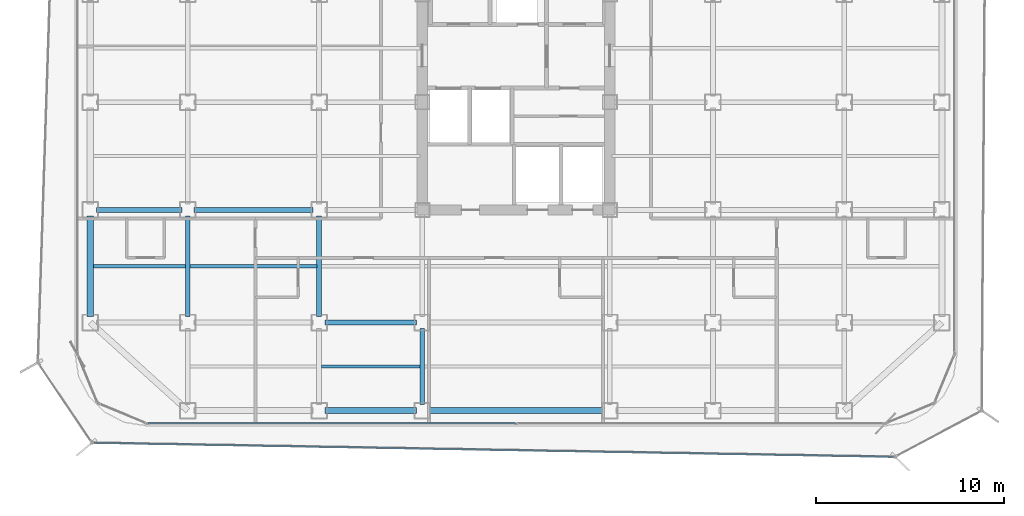
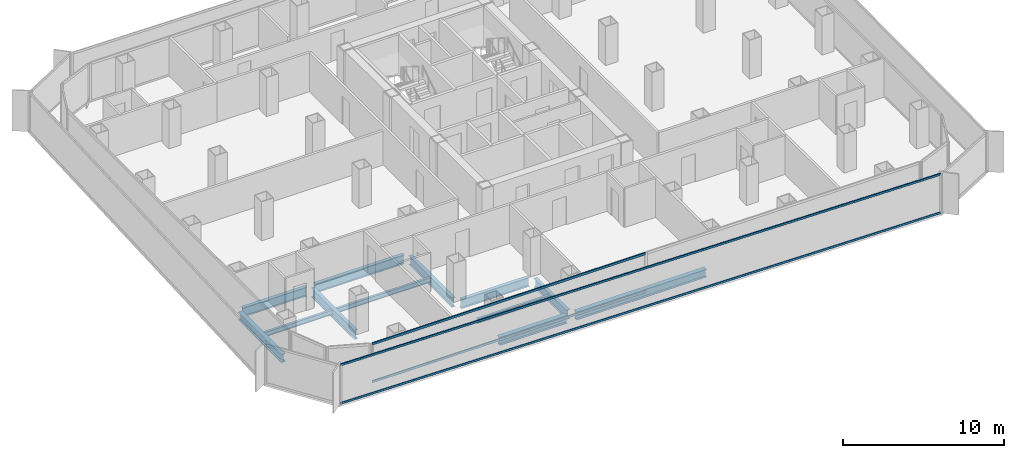
# One storey, part 3 of 21: 12 beams, 4 members, 2 elements without a shape of their own.
"""IFC4 building model written with IfcOpenShell, lengths in metres."""

from ifc_helpers import new_model, si_unit, direction, frame, origin, origin_2d, place, context, subcontext, project, spatial, hollow_rectangle, i_section, extrude, source, transform, mapped, material, layer, layer_set, material_profile, profile_set, type_object, element, aggregate, save


model = new_model("IFC4")

# Units and contexts
model_context = context("Model", 3, precision=1e-05, world=origin(), true_north=direction((0.0, 1.0)))
body_context = subcontext(model_context, "Body", "Model", "MODEL_VIEW")
ifc_project = project(units=[si_unit("LENGTHUNIT", "METRE"), si_unit("AREAUNIT", "SQUARE_METRE"), si_unit("VOLUMEUNIT", "CUBIC_METRE"), si_unit("PLANEANGLEUNIT", "RADIAN"), si_unit("MASSUNIT", "GRAM", prefix="KILO")], contexts=[model_context])

# Site, building, storey
site_placement = place(None, origin())
site = spatial("IfcSite", under=ifc_project, at=site_placement, CompositionType="ELEMENT")
building_placement = place(site_placement, origin())
building = spatial("IfcBuilding", under=site, at=building_placement, Name="Kolveth Station Tower", CompositionType="ELEMENT")
storey_placement = place(building_placement, frame((0.0, 0.0, 127.89990234375)))
storey = spatial("IfcBuildingStorey", under=building, at=storey_placement, Name="L35", CompositionType="ELEMENT", Elevation=127.89990234375)

# Beams
ifc_material_1 = material(Name="Steel S355", Category="steel")
ifc_material_profile_1 = material_profile(ifc_material_1, i_section(OverallWidth=0.323974609375, OverallDepth=0.611083984375, WebThickness=0.0126953125, FlangeThickness=0.01904296875, at=origin_2d()), Name="W610x155")
ifc_profile_set_1 = profile_set([ifc_material_profile_1], Name="Steel S355")
beam_type_1 = type_object("IfcBeamType", Name="Beam_SP2", PredefinedType="SPANDREL", material=ifc_profile_set_1)
shared_shape_1 = source(origin(), body_context, "Body", "SweptSolid", [
    extrude(i_section(OverallWidth=0.323974609375, OverallDepth=0.611083984375, WebThickness=0.0126953125, FlangeThickness=0.01904296875, at=origin_2d()), origin(), (0.0, 0.0, 1.0), 4.85986328125),
])
beam_1_placement = place(storey_placement, frame((13.320068359375, 0.800048828125, -0.555419921875), z_axis=(1.0, 0.0, 0.0), x_axis=(0.0, 1.0, 0.0)))
element("IfcBeam", 1, at=beam_1_placement, inside=storey, type_object=beam_type_1, Name="L35 Perimeter Spandrel BM-L35-PS-2", PredefinedType="SPANDREL", context=body_context, shape_type="MappedRepresentation", body=[
    mapped(shared_shape_1, transform((0.0, 0.0, 0.0), x_axis=(1.0, 0.0, 0.0), y_axis=(0.0, 1.0, 0.0), z_axis=(0.0, 0.0, 1.0), scale=1.0)),
])
shared_shape_2 = source(origin(), body_context, "Body", "SweptSolid", [
    extrude(i_section(OverallWidth=0.323974609375, OverallDepth=0.611083984375, WebThickness=0.0126953125, FlangeThickness=0.01904296875, at=origin_2d()), origin(), (0.0, 0.0, 1.0), 9.35986328125),
])
beam_2_placement = place(storey_placement, frame((18.820068359375, 0.800048828125, -0.555419921875), z_axis=(1.0, 0.0, 0.0), x_axis=(0.0, 1.0, 0.0)))
element("IfcBeam", 2, at=beam_2_placement, inside=storey, type_object=beam_type_1, Name="L35 Perimeter Spandrel BM-L35-PS-3", PredefinedType="SPANDREL", context=body_context, shape_type="MappedRepresentation", body=[
    mapped(shared_shape_2, transform((0.0, 0.0, 0.0), x_axis=(1.0, 0.0, 0.0), y_axis=(0.0, 1.0, 0.0), z_axis=(0.0, 0.0, 1.0), scale=1.0)),
])
shared_shape_3 = source(origin(), body_context, "Body", "SweptSolid", [
    extrude(i_section(OverallWidth=0.323974609375, OverallDepth=0.611083984375, WebThickness=0.0126953125, FlangeThickness=0.01904296875, at=origin_2d()), origin(), (0.0, 0.0, 1.0), 5.35986328125),
])
beam_3_placement = place(storey_placement, frame((0.800048828125, 5.820068359375, -0.555419921875), z_axis=(0.0, 1.0, 0.0), x_axis=(-1.0, 0.0, 0.0)))
element("IfcBeam", 3, at=beam_3_placement, inside=storey, type_object=beam_type_1, Name="L35 Perimeter Spandrel BM-L35-PW-1", PredefinedType="SPANDREL", context=body_context, shape_type="MappedRepresentation", body=[
    mapped(shared_shape_3, transform((0.0, 0.0, 0.0), x_axis=(1.0, 0.0, 0.0), y_axis=(0.0, 1.0, 0.0), z_axis=(0.0, 0.0, 1.0), scale=1.0)),
])
ifc_material_profile_2 = material_profile(ifc_material_1, i_section(OverallWidth=0.25390625, OverallDepth=0.68798828125, WebThickness=0.01318359375, FlangeThickness=0.02099609375, at=origin_2d()), Name="W690x152")
ifc_profile_set_2 = profile_set([ifc_material_profile_2], Name="Steel S355")
beam_type_2 = type_object("IfcBeamType", Name="Beam_B4", PredefinedType="BEAM", material=ifc_profile_set_2)
shared_shape_4 = source(origin(), body_context, "Body", "SweptSolid", [
    extrude(i_section(OverallWidth=0.25390625, OverallDepth=0.68798828125, WebThickness=0.01318359375, FlangeThickness=0.02099609375, at=origin_2d()), origin(), (0.0, 0.0, 1.0), 4.559814453125),
])
beam_4_placement = place(storey_placement, frame((1.1201171875, 11.5, -0.593994140625), z_axis=(1.0, 0.0, 0.0), x_axis=(0.0, 1.0, 0.0)))
element("IfcBeam", 4, at=beam_4_placement, inside=storey, type_object=beam_type_2, Name="L35 Primary Girder BM-L35-GY115-1", PredefinedType="BEAM", context=body_context, shape_type="MappedRepresentation", body=[
    mapped(shared_shape_4, transform((0.0, 0.0, 0.0), x_axis=(1.0, 0.0, 0.0), y_axis=(0.0, 1.0, 0.0), z_axis=(0.0, 0.0, 1.0), scale=1.0)),
])
shared_shape_5 = source(origin(), body_context, "Body", "SweptSolid", [
    extrude(i_section(OverallWidth=0.25390625, OverallDepth=0.68798828125, WebThickness=0.01318359375, FlangeThickness=0.02099609375, at=origin_2d()), origin(), (0.0, 0.0, 1.0), 6.35986328125),
])
beam_5_placement = place(storey_placement, frame((6.320068359375, 11.5, -0.593994140625), z_axis=(1.0, 0.0, 0.0), x_axis=(0.0, 1.0, 0.0)))
element("IfcBeam", 5, at=beam_5_placement, inside=storey, type_object=beam_type_2, Name="L35 Primary Girder BM-L35-GY115-2", PredefinedType="BEAM", context=body_context, shape_type="MappedRepresentation", body=[
    mapped(shared_shape_5, transform((0.0, 0.0, 0.0), x_axis=(1.0, 0.0, 0.0), y_axis=(0.0, 1.0, 0.0), z_axis=(0.0, 0.0, 1.0), scale=1.0)),
])
shared_shape_6 = source(origin(), body_context, "Body", "SweptSolid", [
    extrude(i_section(OverallWidth=0.25390625, OverallDepth=0.68798828125, WebThickness=0.01318359375, FlangeThickness=0.02099609375, at=origin_2d()), origin(), (0.0, 0.0, 1.0), 4.85986328125),
])
beam_6_placement = place(storey_placement, frame((13.320068359375, 5.5, -0.593994140625), z_axis=(1.0, 0.0, 0.0), x_axis=(0.0, 1.0, 0.0)))
element("IfcBeam", 6, at=beam_6_placement, inside=storey, type_object=beam_type_2, Name="L35 Primary Girder BM-L35-GY55-3", PredefinedType="BEAM", context=body_context, shape_type="MappedRepresentation", body=[
    mapped(shared_shape_6, transform((0.0, 0.0, 0.0), x_axis=(1.0, 0.0, 0.0), y_axis=(0.0, 1.0, 0.0), z_axis=(0.0, 0.0, 1.0), scale=1.0)),
])
shared_shape_7 = source(origin(), body_context, "Body", "SweptSolid", [
    extrude(i_section(OverallWidth=0.25390625, OverallDepth=0.68798828125, WebThickness=0.01318359375, FlangeThickness=0.02099609375, at=origin_2d()), origin(), (0.0, 0.0, 1.0), 4.059814453125),
])
beam_7_placement = place(storey_placement, frame((18.5, 1.1201171875, -0.593994140625), z_axis=(0.0, 1.0, 0.0), x_axis=(-1.0, 0.0, 0.0)))
element("IfcBeam", 7, at=beam_7_placement, inside=storey, type_object=beam_type_2, Name="L35 Primary Girder BM-L35-GX185-1", PredefinedType="BEAM", context=body_context, shape_type="MappedRepresentation", body=[
    mapped(shared_shape_7, transform((0.0, 0.0, 0.0), x_axis=(1.0, 0.0, 0.0), y_axis=(0.0, 1.0, 0.0), z_axis=(0.0, 0.0, 1.0), scale=1.0)),
])
shared_shape_8 = source(origin(), body_context, "Body", "SweptSolid", [
    extrude(i_section(OverallWidth=0.25390625, OverallDepth=0.68798828125, WebThickness=0.01318359375, FlangeThickness=0.02099609375, at=origin_2d()), origin(), (0.0, 0.0, 1.0), 5.35986328125),
])
for number, where, z_axis, x_axis, name in (
    (8, (6.0, 5.820068359375, -0.593994140625), (0.0, 1.0, 0.0), (-1.0, 0.0, 0.0), "L35 Primary Girder BM-L35-GX60-2"),
    (9, (13.0, 5.820068359375, -0.593994140625), (0.0, 1.0, 0.0), (-1.0, 0.0, 0.0), "L35 Primary Girder BM-L35-GX130-2"),
):
    element("IfcBeam", number, at=place(storey_placement, frame(where, z_axis=z_axis, x_axis=x_axis)), inside=storey, type_object=beam_type_2, Name=name, PredefinedType="BEAM", context=body_context, shape_type="MappedRepresentation", body=[
        mapped(shared_shape_8, transform((0.0, 0.0, 0.0), x_axis=(1.0, 0.0, 0.0), y_axis=(0.0, 1.0, 0.0), z_axis=(0.0, 0.0, 1.0), scale=1.0)),
    ])
ifc_material_profile_3 = material_profile(ifc_material_1, i_section(OverallWidth=0.1708984375, OverallDepth=0.35205078125, WebThickness=0.0068359375, FlangeThickness=0.009765625, at=origin_2d()), Name="W360x44")
ifc_profile_set_3 = profile_set([ifc_material_profile_3], Name="Steel S355")
beam_type_3 = type_object("IfcBeamType", Name="Beam_J2", PredefinedType="JOIST", material=ifc_profile_set_3)
shared_shape_9 = source(origin(), body_context, "Body", "SweptSolid", [
    extrude(i_section(OverallWidth=0.1708984375, OverallDepth=0.35205078125, WebThickness=0.0068359375, FlangeThickness=0.009765625, at=origin_2d()), origin(), (0.0, 0.0, 1.0), 4.9150390625),
])
beam_8_placement = place(storey_placement, frame((0.9599609375, 8.5, -0.42578125), z_axis=(1.0, 0.0, 0.0), x_axis=(0.0, 1.0, 0.0)))
element("IfcBeam", 10, at=beam_8_placement, inside=storey, type_object=beam_type_3, Name="L35 Secondary Joist JST-L35-1-2", PredefinedType="JOIST", context=body_context, shape_type="MappedRepresentation", body=[
    mapped(shared_shape_9, transform((0.0, 0.0, 0.0), x_axis=(1.0, 0.0, 0.0), y_axis=(0.0, 1.0, 0.0), z_axis=(0.0, 0.0, 1.0), scale=1.0)),
])
shared_shape_10 = source(origin(), body_context, "Body", "SweptSolid", [
    extrude(i_section(OverallWidth=0.1708984375, OverallDepth=0.35205078125, WebThickness=0.0068359375, FlangeThickness=0.009765625, at=origin_2d()), origin(), (0.0, 0.0, 1.0), 6.75),
])
beam_9_placement = place(storey_placement, frame((6.125, 8.5, -0.42578125), z_axis=(1.0, 0.0, 0.0), x_axis=(0.0, 1.0, 0.0)))
element("IfcBeam", 11, at=beam_9_placement, inside=storey, type_object=beam_type_3, Name="L35 Secondary Joist JST-L35-2-2", PredefinedType="JOIST", context=body_context, shape_type="MappedRepresentation", body=[
    mapped(shared_shape_10, transform((0.0, 0.0, 0.0), x_axis=(1.0, 0.0, 0.0), y_axis=(0.0, 1.0, 0.0), z_axis=(0.0, 0.0, 1.0), scale=1.0)),
])
shared_shape_11 = source(origin(), body_context, "Body", "SweptSolid", [
    extrude(i_section(OverallWidth=0.1708984375, OverallDepth=0.35205078125, WebThickness=0.0068359375, FlangeThickness=0.009765625, at=origin_2d()), origin(), (0.0, 0.0, 1.0), 5.25),
])
beam_10_placement = place(storey_placement, frame((13.125, 3.14990234375, -0.42578125), z_axis=(1.0, 0.0, 0.0), x_axis=(0.0, 1.0, 0.0)))
element("IfcBeam", 12, at=beam_10_placement, inside=storey, type_object=beam_type_3, Name="L35 Secondary Joist JST-L35-3-1", PredefinedType="JOIST", context=body_context, shape_type="MappedRepresentation", body=[
    mapped(shared_shape_11, transform((0.0, 0.0, 0.0), x_axis=(1.0, 0.0, 0.0), y_axis=(0.0, 1.0, 0.0), z_axis=(0.0, 0.0, 1.0), scale=1.0)),
])

# Curtain wall, members
ifc_material_2 = material(Name="Aluminium 6063-T6 and low-E dark glass", Category="aluminium")
ifc_layer_1 = layer(ifc_material_2, 0.18994140625)
ifc_layer_set_1 = layer_set([ifc_layer_1], Name="Aluminium 6063-T6 and low-E dark glass")
curtain_wall_type_1 = type_object("IfcCurtainWallType", Name="CurtainWall_CW-Z2", PredefinedType="NOTDEFINED", material=ifc_layer_set_1)
curtain_wall_1_placement = place(storey_placement, origin())
curtain_wall_1 = element("IfcCurtainWall", 13, at=curtain_wall_1_placement, inside=storey, type_object=curtain_wall_type_1, Name="L35 Inner Thermal Curtain Wall 12", PredefinedType="NOTDEFINED")
ifc_material_3 = material(Name="Black anodized aluminium 6063-T6", Category="aluminium")
ifc_material_profile_4 = material_profile(ifc_material_3, hollow_rectangle(XDim=0.080078125, YDim=0.169921875, WallThickness=0.0048828125, at=origin_2d()), Name="ALU-80x170x5")
ifc_profile_set_4 = profile_set([ifc_material_profile_4], Name="Black anodized aluminium 6063-T6")
member_type_1 = type_object("IfcMemberType", Name="Transom_TR2", PredefinedType="USERDEFINED", material=ifc_profile_set_4)
shared_shape_12 = source(origin(), body_context, "Body", "SweptSolid", [
    extrude(hollow_rectangle(XDim=0.080078125, YDim=0.169921875, WallThickness=0.0048828125, at=origin_2d()), origin(), (0.0, 0.0, 1.0), 19.580078125),
])
member_1_placement = place(storey_placement, frame((3.8798828125, 0.1201171875, 0.0400390625), z_axis=(1.0, 0.0, 0.0), x_axis=(0.0, 1.0, 0.0)))
member_1 = element("IfcMember", 14, at=member_1_placement, type_object=member_type_1, Name="CW-Z2 transom 1.1", ObjectType="TRANSOM", PredefinedType="USERDEFINED", context=body_context, shape_type="MappedRepresentation", body=[
    mapped(shared_shape_12, transform((0.0, 0.0, 0.0), x_axis=(1.0, 0.0, 0.0), y_axis=(0.0, 1.0, 0.0), z_axis=(0.0, 0.0, 1.0), scale=1.0)),
])
member_2_placement = place(storey_placement, frame((3.8798828125, 0.1201171875, 2.91015625), z_axis=(1.0, 0.0, 0.0), x_axis=(0.0, 1.0, 0.0)))
member_2 = element("IfcMember", 15, at=member_2_placement, type_object=member_type_1, Name="CW-Z2 transom 1.2", ObjectType="TRANSOM", PredefinedType="USERDEFINED", context=body_context, shape_type="MappedRepresentation", body=[
    mapped(shared_shape_12, transform((0.0, 0.0, 0.0), x_axis=(1.0, 0.0, 0.0), y_axis=(0.0, 1.0, 0.0), z_axis=(0.0, 0.0, 1.0), scale=1.0)),
])
aggregate(curtain_wall_1, [member_1, member_2])

ifc_material_4 = material(Name="Black anodized aluminium 6063-T6 and dark solar glass", Category="aluminium")
ifc_layer_2 = layer(ifc_material_4, 0.159912109375)
ifc_layer_set_2 = layer_set([ifc_layer_2], Name="Black anodized aluminium 6063-T6 and dark solar glass")
curtain_wall_type_2 = type_object("IfcCurtainWallType", Name="OUTER SKIN CW-OS", PredefinedType="NOTDEFINED", material=ifc_layer_set_2)
curtain_wall_2_placement = place(storey_placement, origin())
curtain_wall_2 = element("IfcCurtainWall", 16, at=curtain_wall_2_placement, inside=storey, type_object=curtain_wall_type_2, Name="L35 Outer Ventilated Skin Curtain Wall 8", PredefinedType="NOTDEFINED")
ifc_material_profile_5 = material_profile(ifc_material_3, hollow_rectangle(XDim=0.080078125, YDim=0.14990234375, WallThickness=0.0048828125, at=origin_2d()), Name="ALU-80x150x5")
ifc_profile_set_5 = profile_set([ifc_material_profile_5], Name="Black anodized aluminium 6063-T6")
member_type_2 = type_object("IfcMemberType", Name="Transom_TR-OS", PredefinedType="USERDEFINED", material=ifc_profile_set_5)
shared_shape_13 = source(origin(), body_context, "Body", "SweptSolid", [
    extrude(hollow_rectangle(XDim=0.080078125, YDim=0.14990234375, WallThickness=0.0048828125, at=origin_2d()), origin(), (0.0, 0.0, 1.0), 42.632568359375),
])
member_3_placement = place(storey_placement, frame((0.9873046875, -0.912353515625, 0.0400390625), z_axis=(0.999845849373, -0.017557832792, 0.0), x_axis=(0.017557832792, 0.999845849373, 0.0)))
member_3 = element("IfcMember", 17, at=member_3_placement, type_object=member_type_2, Name="CW-OS transom 1.1", ObjectType="TRANSOM", PredefinedType="USERDEFINED", context=body_context, shape_type="MappedRepresentation", body=[
    mapped(shared_shape_13, transform((0.0, 0.0, 0.0), x_axis=(1.0, 0.0, 0.0), y_axis=(0.0, 1.0, 0.0), z_axis=(0.0, 0.0, 1.0), scale=1.0)),
])
member_4_placement = place(storey_placement, frame((0.9873046875, -0.912353515625, 2.9501953125), z_axis=(0.999845849373, -0.017557832792, 0.0), x_axis=(0.017557832792, 0.999845849373, 0.0)))
member_4 = element("IfcMember", 18, at=member_4_placement, type_object=member_type_2, Name="CW-OS transom 1.2", ObjectType="TRANSOM", PredefinedType="USERDEFINED", context=body_context, shape_type="MappedRepresentation", body=[
    mapped(shared_shape_13, transform((0.0, 0.0, 0.0), x_axis=(1.0, 0.0, 0.0), y_axis=(0.0, 1.0, 0.0), z_axis=(0.0, 0.0, 1.0), scale=1.0)),
])
aggregate(curtain_wall_2, [member_3, member_4])

save(model, "model.ifc")
